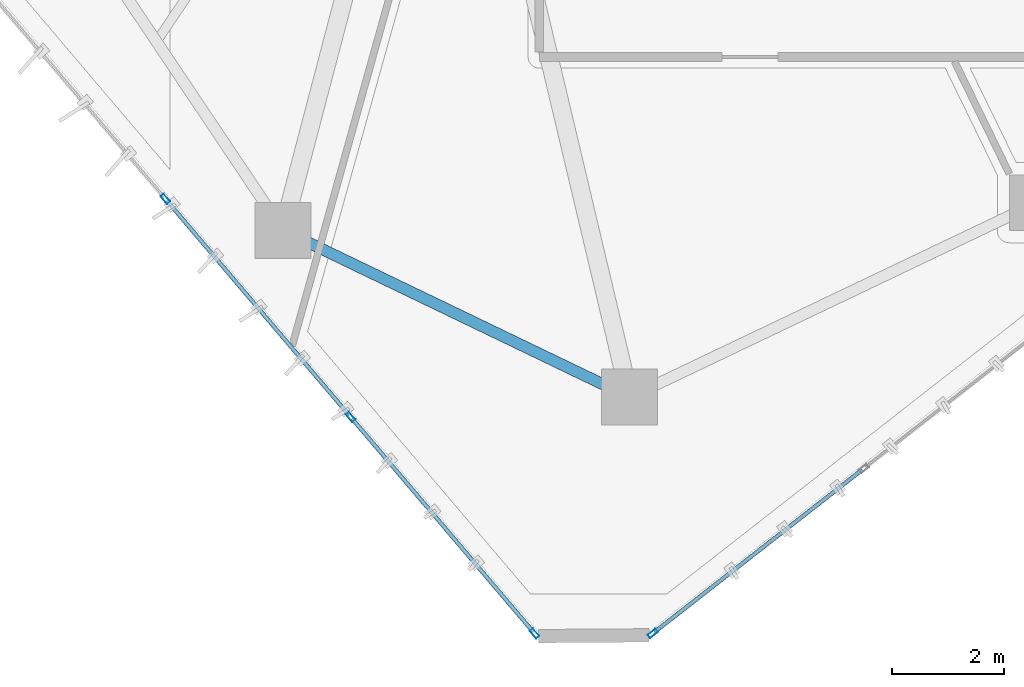
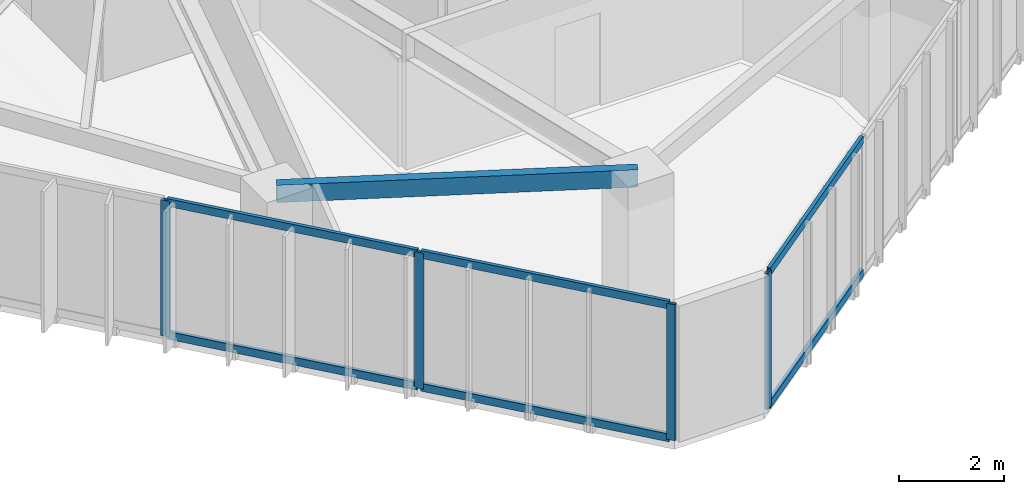
# One storey, part 2 of 21: 10 members, 1 beam, 2 elements without a shape of their own.
"""IFC4 building model written with IfcOpenShell, lengths in metres."""

from ifc_helpers import new_model, si_unit, direction, frame, origin, origin_2d, place, context, subcontext, project, spatial, hollow_rectangle, extrude, source, transform, mapped, material, layer, layer_set, material_profile, profile_set, type_object, type_shapes, element, aggregate, save


model = new_model("IFC4")

# Units and contexts
model_context = context("Model", 3, precision=1e-05, world=origin(), true_north=direction((0.0, 1.0)))
body_context = subcontext(model_context, "Body", "Model", "MODEL_VIEW")
ifc_project = project(units=[si_unit("LENGTHUNIT", "METRE"), si_unit("AREAUNIT", "SQUARE_METRE"), si_unit("VOLUMEUNIT", "CUBIC_METRE"), si_unit("PLANEANGLEUNIT", "RADIAN"), si_unit("MASSUNIT", "GRAM", prefix="KILO")], contexts=[model_context])

# Site, building, storey
site_placement = place(None, origin())
site = spatial("IfcSite", under=ifc_project, at=site_placement, CompositionType="ELEMENT")
building_placement = place(site_placement, origin())
building = spatial("IfcBuilding", under=site, at=building_placement, Name="Talar Marvaseh", CompositionType="ELEMENT")
storey_placement = place(building_placement, frame((0.0, 0.0, 232.699951171875)))
storey = spatial("IfcBuildingStorey", under=building, at=storey_placement, Name="L61", CompositionType="ELEMENT", Elevation=232.699951171875)

# Beam
ifc_material_1 = material(Name="Steel S355", Category="steel")
ifc_material_profile_1 = material_profile(ifc_material_1, hollow_rectangle(XDim=0.199951171875, YDim=0.39990234375, WallThickness=0.013916015625, at=origin_2d()), Name="RHS400x200x14")
ifc_profile_set_1 = profile_set([ifc_material_profile_1], Name="Steel S355")
beam_type = type_object("IfcBeamType", Name="Zone 3 Perimeter Spandrel Beam RHS400x200x14", PredefinedType="SPANDREL", material=ifc_profile_set_1)
beam_placement = place(storey_placement, frame((22.014892578125, 11.51904296875, 2.949951171875), z_axis=(-0.901071562993, 0.433670425975, 0.0), x_axis=(-0.433670425975, -0.901071562993, 0.0)))
element("IfcBeam", 1, at=beam_placement, inside=storey, type_object=beam_type, Name="L61 Zone 3 Perimeter Spandrel Beam RHS400x200x14", PredefinedType="SPANDREL", context=body_context, shape_type="SweptSolid", body=[
    extrude(hollow_rectangle(XDim=0.199951171875, YDim=0.39990234375, WallThickness=0.013916015625, at=origin_2d()), origin(), (0.0, 0.0, 1.0), 6.8759765625),
])

# Curtain wall, members
ifc_material_2 = material(Name="Architectural Aluminium", Category="aluminium")
ifc_layer = layer(ifc_material_2, 0.18994140625)
ifc_layer_set = layer_set([ifc_layer], Name="Architectural Aluminium")
curtain_wall_type = type_object("IfcCurtainWallType", Name="Unitised Solar Atelier Curtain Wall Z3", PredefinedType="NOTDEFINED", material=ifc_layer_set)
curtain_wall_1_placement = place(storey_placement, origin())
curtain_wall_1 = element("IfcCurtainWall", 2, at=curtain_wall_1_placement, inside=storey, type_object=curtain_wall_type, Name="L61 Unitised Solar Atelier Curtain Wall Z3", PredefinedType="NOTDEFINED")
ifc_material_profile_2 = material_profile(ifc_material_2, hollow_rectangle(XDim=0.074951171875, YDim=0.179931640625, WallThickness=0.0048828125, at=origin_2d()), Name="RHS180x75x5")
ifc_profile_set_2 = profile_set([ifc_material_profile_2], Name="Architectural Aluminium")
member_type_1 = type_object("IfcMemberType", Name="Unitised Curtain Wall Transom RHS180x75x5", PredefinedType="USERDEFINED", material=ifc_profile_set_2)
shared_shape_1 = source(origin(), body_context, "Body", "SweptSolid", [
    extrude(hollow_rectangle(XDim=0.074951171875, YDim=0.179931640625, WallThickness=0.0048828125, at=origin_2d()), origin(), (0.0, 0.0, 1.0), 5.0380859375),
])
member_1_placement = place(storey_placement, frame((17.004150390625, 11.195556640625, 0.03759765625), z_axis=(-0.647424730954, 0.762129396985, 0.0), x_axis=(-0.762129396985, -0.647424730954, 0.0)))
member_1 = element("IfcMember", 3, at=member_1_placement, type_object=member_type_1, Name="CW-Z3 transom 2.1", ObjectType="TRANSOM", PredefinedType="USERDEFINED", context=body_context, shape_type="MappedRepresentation", body=[
    mapped(shared_shape_1, transform((0.0, 0.0, 0.0), x_axis=(1.0, 0.0, 0.0), y_axis=(0.0, 1.0, 0.0), z_axis=(0.0, 0.0, 1.0), scale=1.0)),
])
member_2_placement = place(storey_placement, frame((17.004150390625, 11.195556640625, 3.112548828125), z_axis=(-0.647424730954, 0.762129396985, 0.0), x_axis=(-0.762129396985, -0.647424730954, 0.0)))
member_2 = element("IfcMember", 4, at=member_2_placement, type_object=member_type_1, Name="CW-Z3 transom 2.2", ObjectType="TRANSOM", PredefinedType="USERDEFINED", context=body_context, shape_type="MappedRepresentation", body=[
    mapped(shared_shape_1, transform((0.0, 0.0, 0.0), x_axis=(1.0, 0.0, 0.0), y_axis=(0.0, 1.0, 0.0), z_axis=(0.0, 0.0, 1.0), scale=1.0)),
])
shared_shape_2 = source(origin(), body_context, "Body", "SweptSolid", [
    extrude(hollow_rectangle(XDim=0.074951171875, YDim=0.179931640625, WallThickness=0.0048828125, at=origin_2d()), origin(), (0.0, 0.0, 1.0), 5.00048828125),
])
member_3_placement = place(storey_placement, frame((20.2900390625, 7.3271484375, 0.03759765625), z_axis=(-0.64740745606, 0.762144071576, 0.0), x_axis=(-0.762144071576, -0.64740745606, 0.0)))
member_3 = element("IfcMember", 5, at=member_3_placement, type_object=member_type_1, Name="CW-Z3 transom 1.1", ObjectType="TRANSOM", PredefinedType="USERDEFINED", context=body_context, shape_type="MappedRepresentation", body=[
    mapped(shared_shape_2, transform((0.0, 0.0, 0.0), x_axis=(1.0, 0.0, 0.0), y_axis=(0.0, 1.0, 0.0), z_axis=(0.0, 0.0, 1.0), scale=1.0)),
])
member_4_placement = place(storey_placement, frame((20.2900390625, 7.3271484375, 3.112548828125), z_axis=(-0.64740745606, 0.762144071576, 0.0), x_axis=(-0.762144071576, -0.64740745606, 0.0)))
member_4 = element("IfcMember", 6, at=member_4_placement, type_object=member_type_1, Name="CW-Z3 transom 1.2", ObjectType="TRANSOM", PredefinedType="USERDEFINED", context=body_context, shape_type="MappedRepresentation", body=[
    mapped(shared_shape_2, transform((0.0, 0.0, 0.0), x_axis=(1.0, 0.0, 0.0), y_axis=(0.0, 1.0, 0.0), z_axis=(0.0, 0.0, 1.0), scale=1.0)),
])

curtain_wall_2_placement = place(storey_placement, origin())
curtain_wall_2 = element("IfcCurtainWall", 7, at=curtain_wall_2_placement, inside=storey, type_object=curtain_wall_type, Name="L61 Unitised Solar Atelier Curtain Wall Z3", PredefinedType="NOTDEFINED")
shared_shape_3 = source(origin(), body_context, "Body", "SweptSolid", [
    extrude(hollow_rectangle(XDim=0.074951171875, YDim=0.179931640625, WallThickness=0.0048828125, at=origin_2d()), origin(), (0.0, 0.0, 1.0), 4.70947265625),
])
type_shapes(member_type_1, [shared_shape_1, shared_shape_2, shared_shape_3])
member_5_placement = place(storey_placement, frame((26.168701171875, 10.222412109375, 0.03759765625), z_axis=(-0.787904113109, -0.615797944577, 0.0), x_axis=(0.615797944577, -0.787904113109, 0.0)))
member_5 = element("IfcMember", 8, at=member_5_placement, type_object=member_type_1, Name="CW-Z3 transom 4.1", ObjectType="TRANSOM", PredefinedType="USERDEFINED", context=body_context, shape_type="MappedRepresentation", body=[
    mapped(shared_shape_3, transform((0.0, 0.0, 0.0), x_axis=(1.0, 0.0, 0.0), y_axis=(0.0, 1.0, 0.0), z_axis=(0.0, 0.0, 1.0), scale=1.0)),
])
member_6_placement = place(storey_placement, frame((26.168701171875, 10.222412109375, 3.112548828125), z_axis=(-0.787904113109, -0.615797944577, 0.0), x_axis=(0.615797944577, -0.787904113109, 0.0)))
member_6 = element("IfcMember", 9, at=member_6_placement, type_object=member_type_1, Name="CW-Z3 transom 4.2", ObjectType="TRANSOM", PredefinedType="USERDEFINED", context=body_context, shape_type="MappedRepresentation", body=[
    mapped(shared_shape_3, transform((0.0, 0.0, 0.0), x_axis=(1.0, 0.0, 0.0), y_axis=(0.0, 1.0, 0.0), z_axis=(0.0, 0.0, 1.0), scale=1.0)),
])

# Member
ifc_material_profile_3 = material_profile(ifc_material_2, hollow_rectangle(XDim=0.074951171875, YDim=0.179931640625, WallThickness=0.0048828125, at=origin_2d()), Name="RHS180x75x5")
ifc_profile_set_3 = profile_set([ifc_material_profile_3], Name="Architectural Aluminium")
member_type_2 = type_object("IfcMemberType", Name="Unitised Curtain Wall Standard Mullion RHS180x75x5", PredefinedType="MULLION", material=ifc_profile_set_3)
shared_shape_4 = source(origin(), body_context, "Body", "SweptSolid", [
    extrude(hollow_rectangle(XDim=0.074951171875, YDim=0.179931640625, WallThickness=0.0048828125, at=origin_2d()), origin(), (0.0, 0.0, 1.0), 3.150146484375),
])
type_shapes(member_type_2, [shared_shape_4])
member_7_placement = place(storey_placement, frame((20.314208984375, 7.298583984375, 0.0), z_axis=(0.0, 0.0, 1.0), x_axis=(-0.76214871019, -0.647401995329, 0.0)))
member_7 = element("IfcMember", 10, at=member_7_placement, type_object=member_type_2, Name="CW-Z3 mullion 1", PredefinedType="MULLION", context=body_context, shape_type="MappedRepresentation", body=[
    mapped(shared_shape_4, transform((0.0, 0.0, 0.0), x_axis=(1.0, 0.0, 0.0), y_axis=(0.0, 1.0, 0.0), z_axis=(0.0, 0.0, 1.0), scale=1.0)),
])

member_8_placement = place(storey_placement, frame((17.0283203125, 11.166748046875, 0.0), z_axis=(0.0, 0.0, 1.0), x_axis=(-0.76214871019, -0.647401995329, 0.0)))
member_8 = element("IfcMember", 11, at=member_8_placement, type_object=member_type_2, Name="CW-Z3 mullion 2", PredefinedType="MULLION", context=body_context, shape_type="MappedRepresentation", body=[
    mapped(shared_shape_4, transform((0.0, 0.0, 0.0), x_axis=(1.0, 0.0, 0.0), y_axis=(0.0, 1.0, 0.0), z_axis=(0.0, 0.0, 1.0), scale=1.0)),
])

member_9_placement = place(storey_placement, frame((13.71826171875, 15.063720703125, 0.0), z_axis=(0.0, 0.0, 1.0), x_axis=(-0.76214871019, -0.647401995329, 0.0)))
member_9 = element("IfcMember", 12, at=member_9_placement, type_object=member_type_2, Name="CW-Z3 mullion 3", PredefinedType="MULLION", context=body_context, shape_type="MappedRepresentation", body=[
    mapped(shared_shape_4, transform((0.0, 0.0, 0.0), x_axis=(1.0, 0.0, 0.0), y_axis=(0.0, 1.0, 0.0), z_axis=(0.0, 0.0, 1.0), scale=1.0)),
])

aggregate(curtain_wall_1, [member_7, member_8, member_9, member_3, member_4, member_1, member_2])

member_10_placement = place(storey_placement, frame((22.428466796875, 7.299072265625, 0.0), z_axis=(0.0, 0.0, 1.0), x_axis=(0.61578418046, -0.787914870462, 0.0)))
member_10 = element("IfcMember", 13, at=member_10_placement, type_object=member_type_2, Name="CW-Z3 mullion 5", PredefinedType="MULLION", context=body_context, shape_type="MappedRepresentation", body=[
    mapped(shared_shape_4, transform((0.0, 0.0, 0.0), x_axis=(1.0, 0.0, 0.0), y_axis=(0.0, 1.0, 0.0), z_axis=(0.0, 0.0, 1.0), scale=1.0)),
])

aggregate(curtain_wall_2, [member_10, member_5, member_6])

save(model, "model.ifc")
